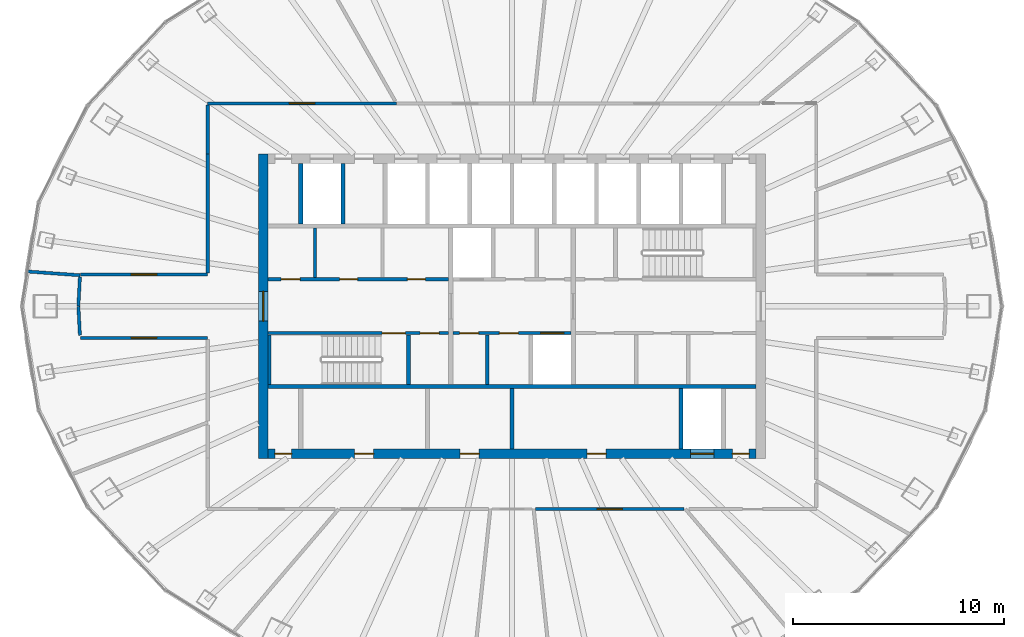
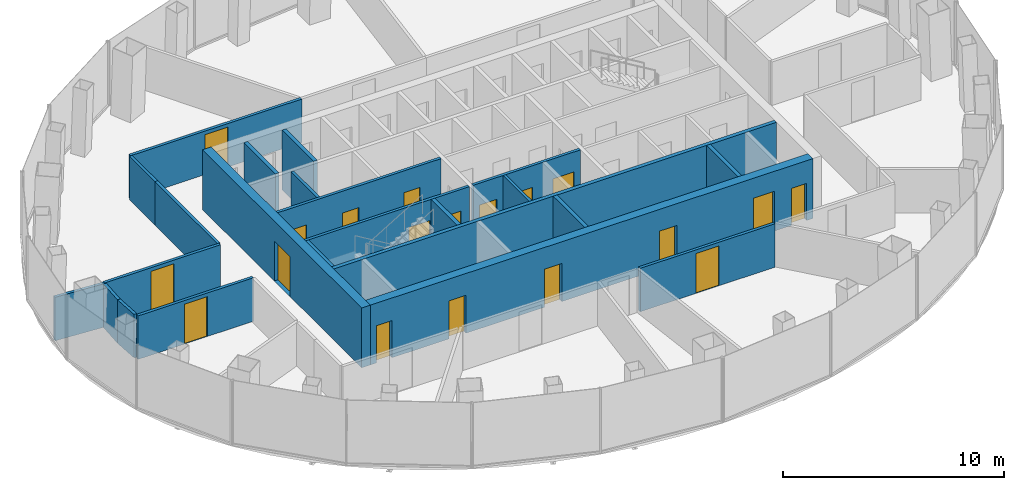
# One storey, part 8 of 11: 23 walls, 19 doors, 19 openings.
"""IFC4 building model written with IfcOpenShell, lengths in metres."""

from ifc_helpers import new_model, si_unit, direction, frame, frame_2d, origin, place, context, subcontext, project, spatial, rectangle, extrude, material, layer, layer_set, type_object, element, fill, save


model = new_model("IFC4")

# Units and contexts
model_context = context("Model", 3, precision=1e-05, world=origin(), true_north=direction((0.0, 1.0)))
body_context = subcontext(model_context, "Body", "Model", "MODEL_VIEW")
ifc_project = project(units=[si_unit("LENGTHUNIT", "METRE"), si_unit("AREAUNIT", "SQUARE_METRE"), si_unit("VOLUMEUNIT", "CUBIC_METRE"), si_unit("PLANEANGLEUNIT", "RADIAN"), si_unit("MASSUNIT", "GRAM", prefix="KILO")], contexts=[model_context])

# Site, building, storey
site_placement = place(None, origin())
site = spatial("IfcSite", under=ifc_project, at=site_placement, CompositionType="ELEMENT")
building_placement = place(site_placement, origin())
building = spatial("IfcBuilding", under=site, at=building_placement, Name="Siaravel Broadcast Tower", CompositionType="ELEMENT")
storey_placement = place(building_placement, frame((0.0, 0.0, 183.0)))
storey = spatial("IfcBuildingStorey", under=building, at=storey_placement, Name="L44", CompositionType="ELEMENT", Elevation=183.0)

# Walls
ifc_material_1 = material(Name="Concrete blockwork", Category="masonry")
ifc_layer_1 = layer(ifc_material_1, 0.14990234375)
ifc_layer_set_1 = layer_set([ifc_layer_1], Name="Concrete blockwork")
wall_type_1 = type_object("IfcWallType", Name="Core partition 150", PredefinedType="PARTITIONING", material=ifc_layer_set_1)
for number, where, z_axis, x_axis, name in (
    (1, (-9.330078125, 1.35009765625, 0.0), (0.0, 0.0, 1.0), (0.0, 1.0, 0.0), "L44 core partition PNW0"),
    (2, (-1.172607421875, -3.699951171875, 0.0), (0.0, 0.0, 1.0), (0.0, 1.0, 0.0), "L44 core partition PSM0"),
):
    element("IfcWall", number, at=place(storey_placement, frame(where, z_axis=z_axis, x_axis=x_axis)), inside=storey, type_object=wall_type_1, Name=name, PredefinedType="PARTITIONING", context=body_context, shape_type="SweptSolid", body=[
        extrude(rectangle(XDim=2.349853515625, YDim=0.14990234375, at=frame_2d((1.1748046875, 0.0))), origin(), (0.0, 0.0, 1.0), 3.300048828125),
    ])
ifc_layer_2 = layer(ifc_material_1, 0.199951171875)
ifc_layer_set_2 = layer_set([ifc_layer_2], Name="Concrete blockwork")
wall_type_2 = type_object("IfcWallType", Name="Core partition 200", PredefinedType="PARTITIONING", material=ifc_layer_set_2)
wall_1_placement = place(storey_placement, frame((0.0, -6.75, 0.0), z_axis=(0.0, 0.0, 1.0), x_axis=(0.0, 1.0, 0.0)))
element("IfcWall", 3, at=wall_1_placement, inside=storey, type_object=wall_type_2, Name="L44 core partition PFS3", PredefinedType="PARTITIONING", context=body_context, shape_type="SweptSolid", body=[
    extrude(rectangle(XDim=2.85009765625, YDim=0.199951171875, at=frame_2d((1.425048828125, 0.0))), origin(), (0.0, 0.0, 1.0), 3.300048828125),
])

# Wall, opening, door
ifc_material_2 = material(Name="Concrete C60/75", Category="concrete")
ifc_layer_3 = layer(ifc_material_2, 0.449951171875)
ifc_layer_set_3 = layer_set([ifc_layer_3], Name="Concrete C60/75")
wall_type_3 = type_object("IfcWallType", Name="Core wall 450", PredefinedType="SHEAR", material=ifc_layer_set_3)
wall_2_placement = place(storey_placement, frame((-11.77490234375, -7.199951171875, 0.0), z_axis=(0.0, 0.0, 1.0), x_axis=(0.0, 1.0, 0.0)))
wall_2 = element("IfcWall", 4, at=wall_2_placement, inside=storey, type_object=wall_type_3, Name="L44 core wall OW", PredefinedType="SHEAR", context=body_context, shape_type="SweptSolid", body=[
    extrude(rectangle(XDim=14.39990234375, YDim=0.449951171875, at=frame_2d((7.199951171875, 0.0))), origin(), (0.0, 0.0, 1.0), 3.300048828125),
])
opening_1_placement = place(wall_2_placement, frame((6.5, 0.0, 0.0)))
opening_1 = element("IfcOpeningElement", 5, at=opening_1_placement, cuts=wall_2, Name="Opening L44-DX-W", PredefinedType="OPENING", context=body_context, shape_type="SweptSolid", body=[
    extrude(rectangle(XDim=1.39990234375, YDim=2.199951171875, at=frame_2d((0.699951171875, 1.10009765625))), frame((0.0, 0.23486328125, 0.0), z_axis=(0.0, -1.0, 0.0), x_axis=(1.0, 0.0, 0.0)), (0.0, 0.0, 1.0), 0.469970703125),
])
ifc_material_3 = material(Name="Steel", Category="steel")
door_type_1 = type_object("IfcDoorType", Name="Core exit door 1400", OperationType="DOUBLE_DOOR_SINGLE_SWING", PredefinedType="DOOR", material=ifc_material_3)
door_1_placement = place(opening_1_placement, origin())
door_1 = element("IfcDoor", 6, at=door_1_placement, inside=storey, type_object=door_type_1, Name="L44 door DX-W", OperationType="DOUBLE_DOOR_SINGLE_SWING", OverallHeight=2.199951171875, OverallWidth=1.39990234375, PredefinedType="DOOR", context=body_context, shape_type="SweptSolid", body=[
    extrude(rectangle(XDim=1.39990234375, YDim=2.199951171875, at=frame_2d((0.699951171875, 1.10009765625))), frame((0.0, 0.02490234375, 0.0), z_axis=(0.0, -1.0, 0.0), x_axis=(1.0, 0.0, 0.0)), (0.0, 0.0, 1.0), 0.050048828125),
])
fill(opening_1, door_1)

# Wall, openings, doors
wall_3_placement = place(storey_placement, frame((-11.550048828125, -6.97509765625, 0.0), z_axis=(0.0, 0.0, 1.0), x_axis=(1.0, 0.0, 0.0)))
wall_3 = element("IfcWall", 7, at=wall_3_placement, inside=storey, type_object=wall_type_3, Name="L44 core wall OS", PredefinedType="SHEAR", context=body_context, shape_type="SweptSolid", body=[
    extrude(rectangle(XDim=23.10009765625, YDim=0.449951171875, at=frame_2d((11.550048828125, 0.0))), origin(), (0.0, 0.0, 1.0), 3.300048828125),
])
opening_2_placement = place(wall_3_placement, frame((20.0, 0.0, 0.0)))
opening_2 = element("IfcOpeningElement", 8, at=opening_2_placement, cuts=wall_3, Name="Opening LD-SV1-L44", PredefinedType="OPENING", context=body_context, shape_type="SweptSolid", body=[
    extrude(rectangle(XDim=1.10009765625, YDim=2.199951171875, at=frame_2d((0.550048828125, 1.10009765625))), frame((0.0, 0.23486328125, 0.0), z_axis=(0.0, -1.0, 0.0), x_axis=(1.0, 0.0, 0.0)), (0.0, 0.0, 1.0), 0.469970703125),
])
opening_3_placement = place(wall_3_placement, frame((4.10009765625, 0.0, 0.0)))
opening_3 = element("IfcOpeningElement", 9, at=opening_3_placement, cuts=wall_3, Name="Opening L44-DFS0", PredefinedType="OPENING", context=body_context, shape_type="SweptSolid", body=[
    extrude(rectangle(XDim=0.89990234375, YDim=2.10009765625, at=frame_2d((0.449951171875, 1.050048828125))), frame((0.0, 0.23486328125, 0.0), z_axis=(0.0, -1.0, 0.0), x_axis=(1.0, 0.0, 0.0)), (0.0, 0.0, 1.0), 0.469970703125),
])
opening_4_placement = place(wall_3_placement, frame((9.10009765625, 0.0, 0.0)))
opening_4 = element("IfcOpeningElement", 10, at=opening_4_placement, cuts=wall_3, Name="Opening L44-DFS3", PredefinedType="OPENING", context=body_context, shape_type="SweptSolid", body=[
    extrude(rectangle(XDim=0.89990234375, YDim=2.10009765625, at=frame_2d((0.449951171875, 1.050048828125))), frame((0.0, 0.23486328125, 0.0), z_axis=(0.0, -1.0, 0.0), x_axis=(1.0, 0.0, 0.0)), (0.0, 0.0, 1.0), 0.469970703125),
])
opening_5_placement = place(wall_3_placement, frame((15.10009765625, 0.0, 0.0)))
opening_5 = element("IfcOpeningElement", 11, at=opening_5_placement, cuts=wall_3, Name="Opening L44-DFS5", PredefinedType="OPENING", context=body_context, shape_type="SweptSolid", body=[
    extrude(rectangle(XDim=0.89990234375, YDim=2.10009765625, at=frame_2d((0.449951171875, 1.050048828125))), frame((0.0, 0.23486328125, 0.0), z_axis=(0.0, -1.0, 0.0), x_axis=(1.0, 0.0, 0.0)), (0.0, 0.0, 1.0), 0.469970703125),
])
opening_6_placement = place(wall_3_placement, frame((0.324951171875, 0.0, 0.0)))
opening_6 = element("IfcOpeningElement", 12, at=opening_6_placement, cuts=wall_3, Name="Opening L44-DRSW", PredefinedType="OPENING", context=body_context, shape_type="SweptSolid", body=[
    extrude(rectangle(XDim=0.800048828125, YDim=2.050048828125, at=frame_2d((0.39990234375, 1.02490234375))), frame((0.0, 0.23486328125, 0.0), z_axis=(0.0, -1.0, 0.0), x_axis=(1.0, 0.0, 0.0)), (0.0, 0.0, 1.0), 0.469970703125),
])
opening_7_placement = place(wall_3_placement, frame((21.97509765625, 0.0, 0.0)))
opening_7 = element("IfcOpeningElement", 13, at=opening_7_placement, cuts=wall_3, Name="Opening L44-DRSE", PredefinedType="OPENING", context=body_context, shape_type="SweptSolid", body=[
    extrude(rectangle(XDim=0.800048828125, YDim=2.050048828125, at=frame_2d((0.39990234375, 1.02490234375))), frame((0.0, 0.23486328125, 0.0), z_axis=(0.0, -1.0, 0.0), x_axis=(1.0, 0.0, 0.0)), (0.0, 0.0, 1.0), 0.469970703125),
])
ifc_material_4 = material(Name="Timber veneer", Category="wood")
door_type_2 = type_object("IfcDoorType", Name="Core room door 900", OperationType="SINGLE_SWING_LEFT", PredefinedType="DOOR", material=ifc_material_4)
door_2_placement = place(opening_3_placement, origin())
door_2 = element("IfcDoor", 14, at=door_2_placement, inside=storey, type_object=door_type_2, Name="L44 door DFS0", OperationType="SINGLE_SWING_LEFT", OverallHeight=2.10009765625, OverallWidth=0.89990234375, PredefinedType="DOOR", context=body_context, shape_type="SweptSolid", body=[
    extrude(rectangle(XDim=0.89990234375, YDim=2.10009765625, at=frame_2d((0.449951171875, 1.050048828125))), frame((0.0, 0.02490234375, 0.0), z_axis=(0.0, -1.0, 0.0), x_axis=(1.0, 0.0, 0.0)), (0.0, 0.0, 1.0), 0.050048828125),
])
fill(opening_3, door_2)
door_3_placement = place(opening_4_placement, origin())
door_3 = element("IfcDoor", 15, at=door_3_placement, inside=storey, type_object=door_type_2, Name="L44 door DFS3", OperationType="SINGLE_SWING_LEFT", OverallHeight=2.10009765625, OverallWidth=0.89990234375, PredefinedType="DOOR", context=body_context, shape_type="SweptSolid", body=[
    extrude(rectangle(XDim=0.89990234375, YDim=2.10009765625, at=frame_2d((0.449951171875, 1.050048828125))), frame((0.0, 0.02490234375, 0.0), z_axis=(0.0, -1.0, 0.0), x_axis=(1.0, 0.0, 0.0)), (0.0, 0.0, 1.0), 0.050048828125),
])
fill(opening_4, door_3)
door_4_placement = place(opening_5_placement, origin())
door_4 = element("IfcDoor", 16, at=door_4_placement, inside=storey, type_object=door_type_2, Name="L44 door DFS5", OperationType="SINGLE_SWING_LEFT", OverallHeight=2.10009765625, OverallWidth=0.89990234375, PredefinedType="DOOR", context=body_context, shape_type="SweptSolid", body=[
    extrude(rectangle(XDim=0.89990234375, YDim=2.10009765625, at=frame_2d((0.449951171875, 1.050048828125))), frame((0.0, 0.02490234375, 0.0), z_axis=(0.0, -1.0, 0.0), x_axis=(1.0, 0.0, 0.0)), (0.0, 0.0, 1.0), 0.050048828125),
])
fill(opening_5, door_4)
door_type_3 = type_object("IfcDoorType", Name="Riser door 800", OperationType="SINGLE_SWING_LEFT", PredefinedType="DOOR", material=ifc_material_3)
door_5_placement = place(opening_6_placement, origin())
door_5 = element("IfcDoor", 17, at=door_5_placement, inside=storey, type_object=door_type_3, Name="L44 door DRSW", OperationType="SINGLE_SWING_LEFT", OverallHeight=2.050048828125, OverallWidth=0.800048828125, PredefinedType="DOOR", context=body_context, shape_type="SweptSolid", body=[
    extrude(rectangle(XDim=0.800048828125, YDim=2.050048828125, at=frame_2d((0.39990234375, 1.02490234375))), frame((0.0, 0.02490234375, 0.0), z_axis=(0.0, -1.0, 0.0), x_axis=(1.0, 0.0, 0.0)), (0.0, 0.0, 1.0), 0.050048828125),
])
fill(opening_6, door_5)
door_6_placement = place(opening_7_placement, origin())
door_6 = element("IfcDoor", 18, at=door_6_placement, inside=storey, type_object=door_type_3, Name="L44 door DRSE", OperationType="SINGLE_SWING_LEFT", OverallHeight=2.050048828125, OverallWidth=0.800048828125, PredefinedType="DOOR", context=body_context, shape_type="SweptSolid", body=[
    extrude(rectangle(XDim=0.800048828125, YDim=2.050048828125, at=frame_2d((0.39990234375, 1.02490234375))), frame((0.0, 0.02490234375, 0.0), z_axis=(0.0, -1.0, 0.0), x_axis=(1.0, 0.0, 0.0)), (0.0, 0.0, 1.0), 0.050048828125),
])
fill(opening_7, door_6)
ifc_material_5 = material(Name="Stainless steel 316L", Category="steel")
door_type_4 = type_object("IfcDoorType", Name="Service lift landing door 1100", OperationType="DOUBLE_DOOR_SLIDING", PredefinedType="DOOR", material=ifc_material_5)
door_7_placement = place(opening_2_placement, origin())
door_7 = element("IfcDoor", 19, at=door_7_placement, inside=storey, type_object=door_type_4, Name="Landing door SV1 L44", OperationType="DOUBLE_DOOR_SLIDING", OverallHeight=2.199951171875, OverallWidth=1.10009765625, PredefinedType="DOOR", context=body_context, shape_type="SweptSolid", body=[
    extrude(rectangle(XDim=1.10009765625, YDim=2.199951171875, at=frame_2d((0.550048828125, 1.10009765625))), frame((0.0, 0.02490234375, 0.0), z_axis=(0.0, -1.0, 0.0), x_axis=(1.0, 0.0, 0.0)), (0.0, 0.0, 1.0), 0.050048828125),
])
fill(opening_2, door_7)

ifc_material_6 = material(Name="Gypsum board partition", Category="gypsum")
ifc_layer_4 = layer(ifc_material_6, 0.14990234375)
ifc_layer_set_4 = layer_set([ifc_layer_4], Name="Gypsum board partition")
wall_type_4 = type_object("IfcWallType", Name="Corridor wall 150", PredefinedType="PARTITIONING", material=ifc_layer_set_4)
wall_4_placement = place(storey_placement, frame((-11.550048828125, 1.27490234375, 0.0), z_axis=(0.0, 0.0, 1.0), x_axis=(1.0, 0.0, 0.0)))
wall_4 = element("IfcWall", 20, at=wall_4_placement, inside=storey, type_object=wall_type_4, Name="L44 core partition CNW", PredefinedType="PARTITIONING", context=body_context, shape_type="SweptSolid", body=[
    extrude(rectangle(XDim=8.550048828125, YDim=0.14990234375, at=frame_2d((4.27490234375, 0.0))), origin(), (0.0, 0.0, 1.0), 3.300048828125),
])
opening_8_placement = place(wall_4_placement, frame((0.62255859375, 0.0, 0.0)))
opening_8 = element("IfcOpeningElement", 21, at=opening_8_placement, cuts=wall_4, Name="Opening L44-DNW0", PredefinedType="OPENING", context=body_context, shape_type="SweptSolid", body=[
    extrude(rectangle(XDim=0.89990234375, YDim=2.10009765625, at=frame_2d((0.449951171875, 1.050048828125))), frame((0.0, 0.0849609375, 0.0), z_axis=(0.0, -1.0, 0.0), x_axis=(1.0, 0.0, 0.0)), (0.0, 0.0, 1.0), 0.169921875),
])
opening_9_placement = place(wall_4_placement, frame((3.396240234375, 0.0, 0.0)))
opening_9 = element("IfcOpeningElement", 22, at=opening_9_placement, cuts=wall_4, Name="Opening L44-DNW1", PredefinedType="OPENING", context=body_context, shape_type="SweptSolid", body=[
    extrude(rectangle(XDim=0.85009765625, YDim=2.10009765625, at=frame_2d((0.425048828125, 1.050048828125))), frame((0.0, 0.0849609375, 0.0), z_axis=(0.0, -1.0, 0.0), x_axis=(1.0, 0.0, 0.0)), (0.0, 0.0, 1.0), 0.169921875),
])
opening_10_placement = place(wall_4_placement, frame((6.5986328125, 0.0, 0.0)))
opening_10 = element("IfcOpeningElement", 23, at=opening_10_placement, cuts=wall_4, Name="Opening L44-DNW2", PredefinedType="OPENING", context=body_context, shape_type="SweptSolid", body=[
    extrude(rectangle(XDim=0.85009765625, YDim=2.10009765625, at=frame_2d((0.425048828125, 1.050048828125))), frame((0.0, 0.0849609375, 0.0), z_axis=(0.0, -1.0, 0.0), x_axis=(1.0, 0.0, 0.0)), (0.0, 0.0, 1.0), 0.169921875),
])
door_8_placement = place(opening_8_placement, origin())
door_8 = element("IfcDoor", 24, at=door_8_placement, inside=storey, type_object=door_type_2, Name="L44 door DNW0", OperationType="SINGLE_SWING_LEFT", OverallHeight=2.10009765625, OverallWidth=0.89990234375, PredefinedType="DOOR", context=body_context, shape_type="SweptSolid", body=[
    extrude(rectangle(XDim=0.89990234375, YDim=2.10009765625, at=frame_2d((0.449951171875, 1.050048828125))), frame((0.0, 0.02490234375, 0.0), z_axis=(0.0, -1.0, 0.0), x_axis=(1.0, 0.0, 0.0)), (0.0, 0.0, 1.0), 0.050048828125),
])
fill(opening_8, door_8)
door_type_5 = type_object("IfcDoorType", Name="Core toilet door 850", OperationType="SINGLE_SWING_LEFT", PredefinedType="DOOR", material=ifc_material_4)
door_9_placement = place(opening_9_placement, origin())
door_9 = element("IfcDoor", 25, at=door_9_placement, inside=storey, type_object=door_type_5, Name="L44 door DNW1", OperationType="SINGLE_SWING_LEFT", OverallHeight=2.10009765625, OverallWidth=0.85009765625, PredefinedType="DOOR", context=body_context, shape_type="SweptSolid", body=[
    extrude(rectangle(XDim=0.85009765625, YDim=2.10009765625, at=frame_2d((0.425048828125, 1.050048828125))), frame((0.0, 0.02490234375, 0.0), z_axis=(0.0, -1.0, 0.0), x_axis=(1.0, 0.0, 0.0)), (0.0, 0.0, 1.0), 0.050048828125),
])
fill(opening_9, door_9)
door_10_placement = place(opening_10_placement, origin())
door_10 = element("IfcDoor", 26, at=door_10_placement, inside=storey, type_object=door_type_5, Name="L44 door DNW2", OperationType="SINGLE_SWING_LEFT", OverallHeight=2.10009765625, OverallWidth=0.85009765625, PredefinedType="DOOR", context=body_context, shape_type="SweptSolid", body=[
    extrude(rectangle(XDim=0.85009765625, YDim=2.10009765625, at=frame_2d((0.425048828125, 1.050048828125))), frame((0.0, 0.02490234375, 0.0), z_axis=(0.0, -1.0, 0.0), x_axis=(1.0, 0.0, 0.0)), (0.0, 0.0, 1.0), 0.050048828125),
])
fill(opening_10, door_10)

# Wall, opening, door
wall_5_placement = place(storey_placement, frame((-5.465087890625, 9.60009765625, 0.0), z_axis=(0.0, 0.0, 1.0), x_axis=(-1.0, 0.0, 0.0)))
wall_5 = element("IfcWall", 27, at=wall_5_placement, inside=storey, type_object=wall_type_4, Name="L44 partition 5", PredefinedType="PARTITIONING", context=body_context, shape_type="SweptSolid", body=[
    extrude(rectangle(XDim=8.934814453125, YDim=0.14990234375, at=frame_2d((4.46728515625, 0.0))), origin(), (0.0, 0.0, 1.0), 2.39990234375),
])
opening_11_placement = place(wall_5_placement, frame((3.867431640625, 0.0, 0.0)))
opening_11 = element("IfcOpeningElement", 28, at=opening_11_placement, cuts=wall_5, Name="Opening L44-008", PredefinedType="OPENING", context=body_context, shape_type="SweptSolid", body=[
    extrude(rectangle(XDim=1.199951171875, YDim=2.199951171875, at=frame_2d((0.60009765625, 1.10009765625))), frame((0.0, 0.0849609375, 0.0), z_axis=(0.0, -1.0, 0.0), x_axis=(1.0, 0.0, 0.0)), (0.0, 0.0, 1.0), 0.169921875),
])
door_type_6 = type_object("IfcDoorType", Name="Office double door 1200", OperationType="DOUBLE_DOOR_SINGLE_SWING", PredefinedType="DOOR", material=ifc_material_4)
door_11_placement = place(opening_11_placement, origin())
door_11 = element("IfcDoor", 29, at=door_11_placement, inside=storey, type_object=door_type_6, Name="L44 door to Open plan office", OperationType="DOUBLE_DOOR_SINGLE_SWING", OverallHeight=2.199951171875, OverallWidth=1.199951171875, PredefinedType="DOOR", context=body_context, shape_type="SweptSolid", body=[
    extrude(rectangle(XDim=1.199951171875, YDim=2.199951171875, at=frame_2d((0.60009765625, 1.10009765625))), frame((0.0, 0.02490234375, 0.0), z_axis=(0.0, -1.0, 0.0), x_axis=(1.0, 0.0, 0.0)), (0.0, 0.0, 1.0), 0.050048828125),
])
fill(opening_11, door_11)

wall_6_placement = place(storey_placement, frame((1.11083984375, -9.60009765625, 0.0), z_axis=(0.0, 0.0, 1.0), x_axis=(1.0, 0.0, 0.0)))
wall_6 = element("IfcWall", 30, at=wall_6_placement, inside=storey, type_object=wall_type_4, Name="L44 partition 10", PredefinedType="PARTITIONING", context=body_context, shape_type="SweptSolid", body=[
    extrude(rectangle(XDim=7.03662109375, YDim=0.14990234375, at=frame_2d((3.518310546875, 0.0))), origin(), (0.0, 0.0, 1.0), 2.39990234375),
])
opening_12_placement = place(wall_6_placement, frame((2.918212890625, 0.0, 0.0)))
opening_12 = element("IfcOpeningElement", 31, at=opening_12_placement, cuts=wall_6, Name="Opening L44-001", PredefinedType="OPENING", context=body_context, shape_type="SweptSolid", body=[
    extrude(rectangle(XDim=1.199951171875, YDim=2.199951171875, at=frame_2d((0.60009765625, 1.10009765625))), frame((0.0, 0.0849609375, 0.0), z_axis=(0.0, -1.0, 0.0), x_axis=(1.0, 0.0, 0.0)), (0.0, 0.0, 1.0), 0.169921875),
])
door_12_placement = place(opening_12_placement, origin())
door_12 = element("IfcDoor", 32, at=door_12_placement, inside=storey, type_object=door_type_6, Name="L44 door to Open plan office", OperationType="DOUBLE_DOOR_SINGLE_SWING", OverallHeight=2.199951171875, OverallWidth=1.199951171875, PredefinedType="DOOR", context=body_context, shape_type="SweptSolid", body=[
    extrude(rectangle(XDim=1.199951171875, YDim=2.199951171875, at=frame_2d((0.60009765625, 1.10009765625))), frame((0.0, 0.02490234375, 0.0), z_axis=(0.0, -1.0, 0.0), x_axis=(1.0, 0.0, 0.0)), (0.0, 0.0, 1.0), 0.050048828125),
])
fill(opening_12, door_12)

wall_7_placement = place(storey_placement, frame((-14.39990234375, 1.5, 0.0), z_axis=(0.0, 0.0, 1.0), x_axis=(-1.0, 0.0, 0.0)))
wall_7 = element("IfcWall", 33, at=wall_7_placement, inside=storey, type_object=wall_type_4, Name="L44 partition 16", PredefinedType="PARTITIONING", context=body_context, shape_type="SweptSolid", body=[
    extrude(rectangle(XDim=6.027587890625, YDim=0.14990234375, at=frame_2d((3.013671875, 0.0))), origin(), (0.0, 0.0, 1.0), 2.39990234375),
])
opening_13_placement = place(wall_7_placement, frame((2.413818359375, 0.0, 0.0)))
opening_13 = element("IfcOpeningElement", 34, at=opening_13_placement, cuts=wall_7, Name="Opening L44-009", PredefinedType="OPENING", context=body_context, shape_type="SweptSolid", body=[
    extrude(rectangle(XDim=1.199951171875, YDim=2.199951171875, at=frame_2d((0.60009765625, 1.10009765625))), frame((0.0, 0.0849609375, 0.0), z_axis=(0.0, -1.0, 0.0), x_axis=(1.0, 0.0, 0.0)), (0.0, 0.0, 1.0), 0.169921875),
])
door_13_placement = place(opening_13_placement, origin())
door_13 = element("IfcDoor", 35, at=door_13_placement, inside=storey, type_object=door_type_6, Name="L44 door to Open plan office", OperationType="DOUBLE_DOOR_SINGLE_SWING", OverallHeight=2.199951171875, OverallWidth=1.199951171875, PredefinedType="DOOR", context=body_context, shape_type="SweptSolid", body=[
    extrude(rectangle(XDim=1.199951171875, YDim=2.199951171875, at=frame_2d((0.60009765625, 1.10009765625))), frame((0.0, 0.02490234375, 0.0), z_axis=(0.0, -1.0, 0.0), x_axis=(1.0, 0.0, 0.0)), (0.0, 0.0, 1.0), 0.050048828125),
])
fill(opening_13, door_13)

wall_8_placement = place(storey_placement, frame((-20.427490234375, -1.5, 0.0), z_axis=(0.0, 0.0, 1.0), x_axis=(1.0, 0.0, 0.0)))
wall_8 = element("IfcWall", 36, at=wall_8_placement, inside=storey, type_object=wall_type_4, Name="L44 partition 17", PredefinedType="PARTITIONING", context=body_context, shape_type="SweptSolid", body=[
    extrude(rectangle(XDim=6.027587890625, YDim=0.14990234375, at=frame_2d((3.013671875, 0.0))), origin(), (0.0, 0.0, 1.0), 2.39990234375),
])
opening_14_placement = place(wall_8_placement, frame((2.413818359375, 0.0, 0.0)))
opening_14 = element("IfcOpeningElement", 37, at=opening_14_placement, cuts=wall_8, Name="Opening L44-010", PredefinedType="OPENING", context=body_context, shape_type="SweptSolid", body=[
    extrude(rectangle(XDim=1.199951171875, YDim=2.199951171875, at=frame_2d((0.60009765625, 1.10009765625))), frame((0.0, 0.0849609375, 0.0), z_axis=(0.0, -1.0, 0.0), x_axis=(1.0, 0.0, 0.0)), (0.0, 0.0, 1.0), 0.169921875),
])
door_14_placement = place(opening_14_placement, origin())
door_14 = element("IfcDoor", 38, at=door_14_placement, inside=storey, type_object=door_type_6, Name="L44 door to Open plan office", OperationType="DOUBLE_DOOR_SINGLE_SWING", OverallHeight=2.199951171875, OverallWidth=1.199951171875, PredefinedType="DOOR", context=body_context, shape_type="SweptSolid", body=[
    extrude(rectangle(XDim=1.199951171875, YDim=2.199951171875, at=frame_2d((0.60009765625, 1.10009765625))), frame((0.0, 0.02490234375, 0.0), z_axis=(0.0, -1.0, 0.0), x_axis=(1.0, 0.0, 0.0)), (0.0, 0.0, 1.0), 0.050048828125),
])
fill(opening_14, door_14)

# Walls
wall_9_placement = place(storey_placement, frame((-14.39990234375, 7.2119140625, 0.0), z_axis=(0.0, 0.0, 1.0), x_axis=(0.0, -1.0, 0.0)))
element("IfcWall", 39, at=wall_9_placement, inside=storey, type_object=wall_type_4, Name="L44 partition 21", PredefinedType="PARTITIONING", context=body_context, shape_type="SweptSolid", body=[
    extrude(rectangle(XDim=5.635009765625, YDim=0.14990234375, at=frame_2d((2.8173828125, 0.0))), origin(), (0.0, 0.0, 1.0), 2.39990234375),
])
wall_10_placement = place(storey_placement, frame((-14.39990234375, 9.52294921875, 0.0), z_axis=(0.0, 0.0, 1.0), x_axis=(0.0, -1.0, 0.0)))
element("IfcWall", 40, at=wall_10_placement, inside=storey, type_object=wall_type_4, Name="L44 partition 29", PredefinedType="PARTITIONING", context=body_context, shape_type="SweptSolid", body=[
    extrude(rectangle(XDim=2.31005859375, YDim=0.14990234375, at=frame_2d((1.155029296875, 0.0))), origin(), (0.0, 0.0, 1.0), 2.39990234375),
])
wall_11_placement = place(storey_placement, frame((-20.447021484375, 1.38818359375, 0.0), z_axis=(0.0, 0.0, 1.0), x_axis=(-0.053213278, -0.99858317, 0.0)))
element("IfcWall", 41, at=wall_11_placement, inside=storey, type_object=wall_type_4, Name="L44 partition 34", PredefinedType="PARTITIONING", context=body_context, shape_type="SweptSolid", body=[
    extrude(rectangle(XDim=1.39013671875, YDim=0.14990234375, at=frame_2d((0.695068359375, 0.0))), origin(), (0.0, 0.0, 1.0), 2.39990234375),
])
wall_12_placement = place(storey_placement, frame((-20.5205078125, -0.010009765625, 0.0), z_axis=(0.0, 0.0, 1.0), x_axis=(0.053271904, -0.998580044, 0.0)))
element("IfcWall", 42, at=wall_12_placement, inside=storey, type_object=wall_type_4, Name="L44 partition 37", PredefinedType="PARTITIONING", context=body_context, shape_type="SweptSolid", body=[
    extrude(rectangle(XDim=1.36572265625, YDim=0.14990234375, at=frame_2d((0.682861328125, 0.0))), origin(), (0.0, 0.0, 1.0), 2.39990234375),
])
ifc_layer_5 = layer(ifc_material_6, 0.14990234375)
ifc_layer_set_5 = layer_set([ifc_layer_5], Name="Gypsum board partition")
wall_type_5 = type_object("IfcWallType", Name="Room partition 150", PredefinedType="PARTITIONING", material=ifc_layer_set_5)
wall_13_placement = place(storey_placement, frame((-22.93701171875, 1.643798828125, 0.0), z_axis=(0.0, 0.0, 1.0), x_axis=(0.997442816, -0.071469082, 0.0)))
element("IfcWall", 43, at=wall_13_placement, inside=storey, type_object=wall_type_5, Name="L44 partition 27", PredefinedType="PARTITIONING", context=body_context, shape_type="SweptSolid", body=[
    extrude(rectangle(XDim=2.50048828125, YDim=0.14990234375, at=frame_2d((1.250244140625, 0.0))), origin(), (0.0, 0.0, 1.0), 2.39990234375),
])

# Wall, openings, doors
ifc_layer_6 = layer(ifc_material_2, 0.14990234375)
ifc_layer_set_6 = layer_set([ifc_layer_6], Name="Concrete C60/75")
wall_type_6 = type_object("IfcWallType", Name="Shaft wall 150", PredefinedType="SHEAR", material=ifc_layer_set_6)
wall_14_placement = place(storey_placement, frame((-11.550048828125, -1.27490234375, 0.0), z_axis=(0.0, 0.0, 1.0), x_axis=(1.0, 0.0, 0.0)))
wall_14 = element("IfcWall", 44, at=wall_14_placement, inside=storey, type_object=wall_type_6, Name="L44 core wall CSW", PredefinedType="SHEAR", context=body_context, shape_type="SweptSolid", body=[
    extrude(rectangle(XDim=8.550048828125, YDim=0.14990234375, at=frame_2d((4.27490234375, 0.0))), origin(), (0.0, 0.0, 1.0), 3.300048828125),
])
opening_15_placement = place(wall_14_placement, frame((5.39990234375, 0.0, 0.0)))
opening_15 = element("IfcOpeningElement", 45, at=opening_15_placement, cuts=wall_14, Name="Opening L44-DS-1", PredefinedType="OPENING", context=body_context, shape_type="SweptSolid", body=[
    extrude(rectangle(XDim=1.10009765625, YDim=2.14990234375, at=frame_2d((0.550048828125, 1.074951171875))), frame((0.0, 0.0849609375, 0.0), z_axis=(0.0, -1.0, 0.0), x_axis=(1.0, 0.0, 0.0)), (0.0, 0.0, 1.0), 0.169921875),
])
opening_16_placement = place(wall_14_placement, frame((7.199951171875, 0.0, 0.0)))
opening_16 = element("IfcOpeningElement", 46, at=opening_16_placement, cuts=wall_14, Name="Opening L44-DSW0", PredefinedType="OPENING", context=body_context, shape_type="SweptSolid", body=[
    extrude(rectangle(XDim=0.89990234375, YDim=2.10009765625, at=frame_2d((0.449951171875, 1.050048828125))), frame((0.0, 0.0849609375, 0.0), z_axis=(0.0, -1.0, 0.0), x_axis=(1.0, 0.0, 0.0)), (0.0, 0.0, 1.0), 0.169921875),
])
door_15_placement = place(opening_16_placement, origin())
door_15 = element("IfcDoor", 47, at=door_15_placement, inside=storey, type_object=door_type_2, Name="L44 door DSW0", OperationType="SINGLE_SWING_LEFT", OverallHeight=2.10009765625, OverallWidth=0.89990234375, PredefinedType="DOOR", context=body_context, shape_type="SweptSolid", body=[
    extrude(rectangle(XDim=0.89990234375, YDim=2.10009765625, at=frame_2d((0.449951171875, 1.050048828125))), frame((0.0, 0.02490234375, 0.0), z_axis=(0.0, -1.0, 0.0), x_axis=(1.0, 0.0, 0.0)), (0.0, 0.0, 1.0), 0.050048828125),
])
fill(opening_16, door_15)
door_type_7 = type_object("IfcDoorType", Name="Stair door 1100", OperationType="SINGLE_SWING_LEFT", PredefinedType="DOOR", material=ifc_material_3)
door_16_placement = place(opening_15_placement, origin())
door_16 = element("IfcDoor", 48, at=door_16_placement, inside=storey, type_object=door_type_7, Name="L44 door DS-1", OperationType="SINGLE_SWING_LEFT", OverallHeight=2.14990234375, OverallWidth=1.10009765625, PredefinedType="DOOR", context=body_context, shape_type="SweptSolid", body=[
    extrude(rectangle(XDim=1.10009765625, YDim=2.14990234375, at=frame_2d((0.550048828125, 1.074951171875))), frame((0.0, 0.02490234375, 0.0), z_axis=(0.0, -1.0, 0.0), x_axis=(1.0, 0.0, 0.0)), (0.0, 0.0, 1.0), 0.050048828125),
])
fill(opening_15, door_16)

wall_15_placement = place(storey_placement, frame((-2.800048828125, -1.27490234375, 0.0), z_axis=(0.0, 0.0, 1.0), x_axis=(1.0, 0.0, 0.0)))
wall_15 = element("IfcWall", 49, at=wall_15_placement, inside=storey, type_object=wall_type_6, Name="L44 core wall CSM", PredefinedType="SHEAR", context=body_context, shape_type="SweptSolid", body=[
    extrude(rectangle(XDim=5.60009765625, YDim=0.14990234375, at=frame_2d((2.800048828125, 0.0))), origin(), (0.0, 0.0, 1.0), 3.300048828125),
])
opening_17_placement = place(wall_15_placement, frame((4.14990234375, 0.0, 0.0)))
opening_17 = element("IfcOpeningElement", 50, at=opening_17_placement, cuts=wall_15, Name="Opening LD-FL2-L44", PredefinedType="OPENING", context=body_context, shape_type="SweptSolid", body=[
    extrude(rectangle(XDim=1.10009765625, YDim=2.199951171875, at=frame_2d((0.550048828125, 1.10009765625))), frame((0.0, 0.0849609375, 0.0), z_axis=(0.0, -1.0, 0.0), x_axis=(1.0, 0.0, 0.0)), (0.0, 0.0, 1.0), 0.169921875),
])
opening_18_placement = place(wall_15_placement, frame((0.326416015625, 0.0, 0.0)))
opening_18 = element("IfcOpeningElement", 51, at=opening_18_placement, cuts=wall_15, Name="Opening L44-DSM0", PredefinedType="OPENING", context=body_context, shape_type="SweptSolid", body=[
    extrude(rectangle(XDim=0.89990234375, YDim=2.10009765625, at=frame_2d((0.449951171875, 1.050048828125))), frame((0.0, 0.0849609375, 0.0), z_axis=(0.0, -1.0, 0.0), x_axis=(1.0, 0.0, 0.0)), (0.0, 0.0, 1.0), 0.169921875),
])
opening_19_placement = place(wall_15_placement, frame((2.201416015625, 0.0, 0.0)))
opening_19 = element("IfcOpeningElement", 52, at=opening_19_placement, cuts=wall_15, Name="Opening L44-DSM1", PredefinedType="OPENING", context=body_context, shape_type="SweptSolid", body=[
    extrude(rectangle(XDim=0.89990234375, YDim=2.10009765625, at=frame_2d((0.449951171875, 1.050048828125))), frame((0.0, 0.0849609375, 0.0), z_axis=(0.0, -1.0, 0.0), x_axis=(1.0, 0.0, 0.0)), (0.0, 0.0, 1.0), 0.169921875),
])
door_17_placement = place(opening_18_placement, origin())
door_17 = element("IfcDoor", 53, at=door_17_placement, inside=storey, type_object=door_type_2, Name="L44 door DSM0", OperationType="SINGLE_SWING_LEFT", OverallHeight=2.10009765625, OverallWidth=0.89990234375, PredefinedType="DOOR", context=body_context, shape_type="SweptSolid", body=[
    extrude(rectangle(XDim=0.89990234375, YDim=2.10009765625, at=frame_2d((0.449951171875, 1.050048828125))), frame((0.0, 0.02490234375, 0.0), z_axis=(0.0, -1.0, 0.0), x_axis=(1.0, 0.0, 0.0)), (0.0, 0.0, 1.0), 0.050048828125),
])
fill(opening_18, door_17)
door_18_placement = place(opening_19_placement, origin())
door_18 = element("IfcDoor", 54, at=door_18_placement, inside=storey, type_object=door_type_2, Name="L44 door DSM1", OperationType="SINGLE_SWING_LEFT", OverallHeight=2.10009765625, OverallWidth=0.89990234375, PredefinedType="DOOR", context=body_context, shape_type="SweptSolid", body=[
    extrude(rectangle(XDim=0.89990234375, YDim=2.10009765625, at=frame_2d((0.449951171875, 1.050048828125))), frame((0.0, 0.02490234375, 0.0), z_axis=(0.0, -1.0, 0.0), x_axis=(1.0, 0.0, 0.0)), (0.0, 0.0, 1.0), 0.050048828125),
])
fill(opening_19, door_18)
door_type_8 = type_object("IfcDoorType", Name="Firefighting lift landing door 1100", OperationType="DOUBLE_DOOR_SLIDING", PredefinedType="DOOR", material=ifc_material_5)
door_19_placement = place(opening_17_placement, origin())
door_19 = element("IfcDoor", 55, at=door_19_placement, inside=storey, type_object=door_type_8, Name="Landing door FL2 L44", OperationType="DOUBLE_DOOR_SLIDING", OverallHeight=2.199951171875, OverallWidth=1.10009765625, PredefinedType="DOOR", context=body_context, shape_type="SweptSolid", body=[
    extrude(rectangle(XDim=1.10009765625, YDim=2.199951171875, at=frame_2d((0.550048828125, 1.10009765625))), frame((0.0, 0.02490234375, 0.0), z_axis=(0.0, -1.0, 0.0), x_axis=(1.0, 0.0, 0.0)), (0.0, 0.0, 1.0), 0.050048828125),
])
fill(opening_17, door_19)

# Walls
wall_16_placement = place(storey_placement, frame((-11.47509765625, -3.699951171875, 0.0), z_axis=(0.0, 0.0, 1.0), x_axis=(0.0, 1.0, 0.0)))
element("IfcWall", 56, at=wall_16_placement, inside=storey, type_object=wall_type_6, Name="L44 core wall ST1W", PredefinedType="SHEAR", context=body_context, shape_type="SweptSolid", body=[
    extrude(rectangle(XDim=2.349853515625, YDim=0.14990234375, at=frame_2d((1.1748046875, 0.0))), origin(), (0.0, 0.0, 1.0), 3.300048828125),
])
ifc_layer_7 = layer(ifc_material_2, 0.199951171875)
ifc_layer_set_7 = layer_set([ifc_layer_7], Name="Concrete C60/75")
wall_type_7 = type_object("IfcWallType", Name="Shaft wall 200", PredefinedType="SHEAR", material=ifc_layer_set_7)
wall_17_placement = place(storey_placement, frame((-11.550048828125, -3.800048828125, 0.0), z_axis=(0.0, 0.0, 1.0), x_axis=(1.0, 0.0, 0.0)))
element("IfcWall", 57, at=wall_17_placement, inside=storey, type_object=wall_type_7, Name="L44 core wall BS", PredefinedType="SHEAR", context=body_context, shape_type="SweptSolid", body=[
    extrude(rectangle(XDim=23.10009765625, YDim=0.199951171875, at=frame_2d((11.550048828125, 0.0))), origin(), (0.0, 0.0, 1.0), 3.300048828125),
])
for number, where, z_axis, x_axis, name in (
    (58, (8.0, -6.75, 0.0), (0.0, 0.0, 1.0), (0.0, 1.0, 0.0), "L44 core wall SWS9"),
    (59, (-10.0, 3.89990234375, 0.0), (0.0, 0.0, 1.0), (0.0, 1.0, 0.0), "L44 core wall SWN0"),
    (60, (-8.0, 3.89990234375, 0.0), (0.0, 0.0, 1.0), (0.0, 1.0, 0.0), "L44 core wall SWN1"),
):
    element("IfcWall", number, at=place(storey_placement, frame(where, z_axis=z_axis, x_axis=x_axis)), inside=storey, type_object=wall_type_7, Name=name, PredefinedType="SHEAR", context=body_context, shape_type="SweptSolid", body=[
        extrude(rectangle(XDim=2.85009765625, YDim=0.199951171875, at=frame_2d((1.425048828125, 0.0))), origin(), (0.0, 0.0, 1.0), 3.300048828125),
    ])
wall_18_placement = place(storey_placement, frame((-4.89990234375, -3.699951171875, 0.0), z_axis=(0.0, 0.0, 1.0), x_axis=(0.0, 1.0, 0.0)))
element("IfcWall", 61, at=wall_18_placement, inside=storey, type_object=wall_type_7, Name="L44 core wall ST1E", PredefinedType="SHEAR", context=body_context, shape_type="SweptSolid", body=[
    extrude(rectangle(XDim=2.349853515625, YDim=0.199951171875, at=frame_2d((1.1748046875, 0.0))), origin(), (0.0, 0.0, 1.0), 3.300048828125),
])

save(model, "model.ifc")
